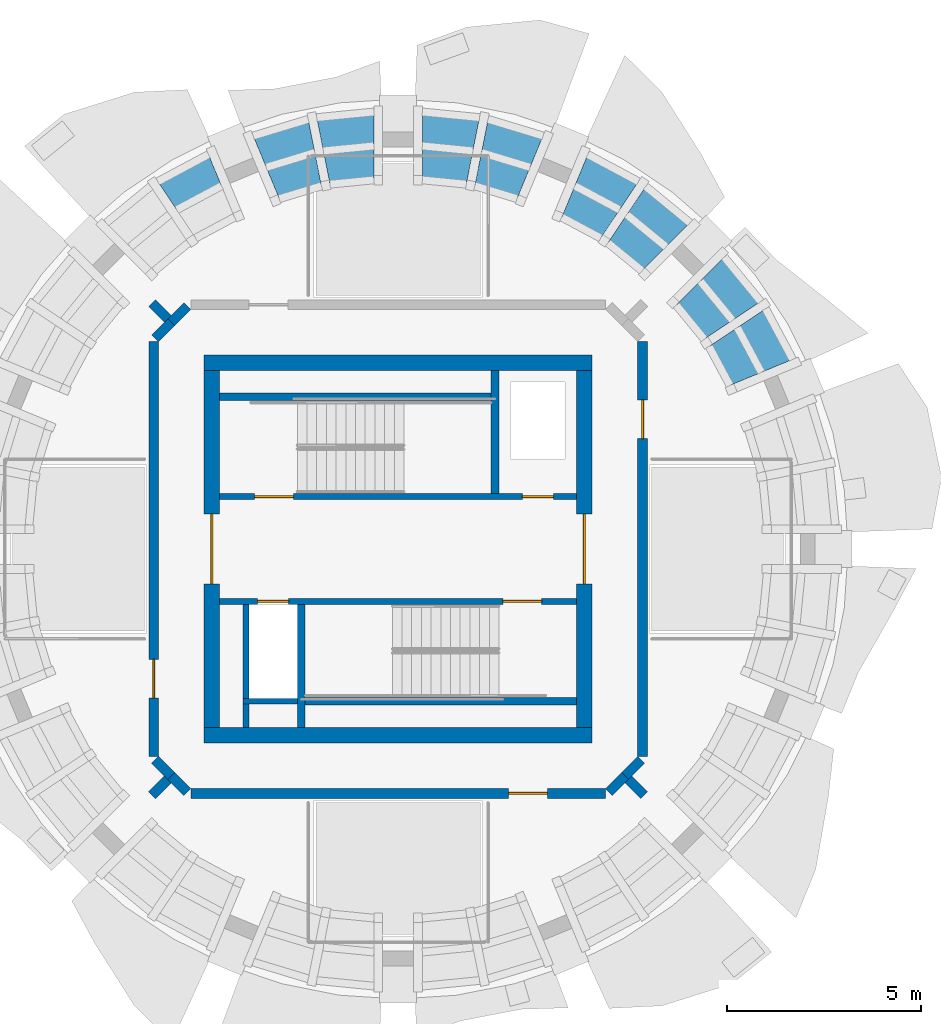
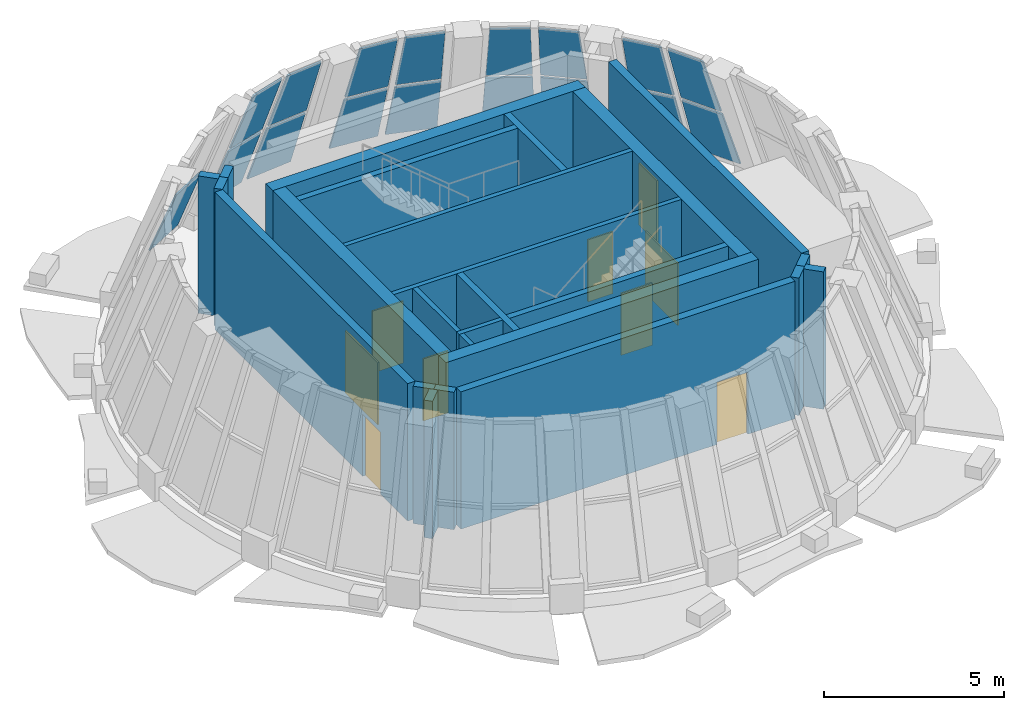
# One storey, part 5 of 9: 24 walls, 17 plates, 9 doors, 9 openings, 5 elements without a shape of their own.
"""IFC4 building model written with IfcOpenShell, lengths in metres."""

from ifc_helpers import new_model, si_unit, direction, frame, frame_2d, origin, place, context, subcontext, project, spatial, polyline, rectangle, outline, extrude, material, layer, layer_set, type_object, element, fill, aggregate, save


model = new_model("IFC4")

# Units and contexts
model_context = context("Model", 3, precision=1e-05, world=origin(), true_north=direction((0.0, 1.0)))
body_context = subcontext(model_context, "Body", "Model", "MODEL_VIEW")
ifc_project = project(units=[si_unit("LENGTHUNIT", "METRE"), si_unit("AREAUNIT", "SQUARE_METRE"), si_unit("VOLUMEUNIT", "CUBIC_METRE"), si_unit("PLANEANGLEUNIT", "RADIAN"), si_unit("MASSUNIT", "GRAM", prefix="KILO")], contexts=[model_context])

# Site, building, storey
site_placement = place(None, origin())
site = spatial("IfcSite", under=ifc_project, at=site_placement, CompositionType="ELEMENT")
building_placement = place(site_placement, origin())
building = spatial("IfcBuilding", under=site, at=building_placement, Name="Polderwave Tower", CompositionType="ELEMENT")
storey_placement = place(building_placement, frame((0.0, 0.0, 239.39990234375)))
storey = spatial("IfcBuildingStorey", under=building, at=storey_placement, Name="L65", CompositionType="ELEMENT", Elevation=239.39990234375)

# Curtain wall, plates
ifc_material_1 = material(Name="Aluminium 6063-T6 and glass", Category="aluminium")
curtain_wall_type = type_object("IfcCurtainWallType", Name="Damper floor glazing wall", PredefinedType="NOTDEFINED", material=ifc_material_1)
curtain_wall_1_placement = place(storey_placement, origin())
curtain_wall_1 = element("IfcCurtainWall", 1, at=curtain_wall_1_placement, inside=storey, type_object=curtain_wall_type, Name="CROWN CW7 L65 01", PredefinedType="NOTDEFINED")
ifc_material_2 = material(Name="Glass, low-e laminated double glazing", Category="glass")
ifc_layer_1 = layer(ifc_material_2, 0.052001953125)
ifc_layer_set_1 = layer_set([ifc_layer_1], Name="Damper floor glazing glass panel 52 mm")
plate_type = type_object("IfcPlateType", Name="Damper floor glazing glass panel 52 mm", PredefinedType="CURTAIN_PANEL", material=ifc_layer_set_1)
plate_1_placement = place(storey_placement, frame((10.14990234375, 4.879638671875, 0.1201171875), z_axis=(0.822845232228, 0.440113232038, 0.359480273152), x_axis=(-0.471641450422, 0.881790418548, 8.0036e-07)))
plate_1 = element("IfcPlate", 2, at=plate_1_placement, type_object=plate_type, Name="CROWN CW7 panel 1", PredefinedType="CURTAIN_PANEL", context=body_context, shape_type="SweptSolid", body=[
    extrude(outline(polyline([(0.0, 0.0), (1.4768220582493665, 2.7755575615628914e-17), (1.3957934823509304, 2.2986789289398257), (0.08149739849615097, 2.298681322867034), (0.0, 0.0)])), origin(), (0.0, 0.0, -1.0), 0.052001953125),
])
plate_2_placement = place(storey_placement, frame((9.33984375, 4.5439453125, 2.385009765625), z_axis=(0.822784098597, 0.440245337824, 0.359458439351), x_axis=(-0.471772671708, 0.881720219761, -1.7146854e-05)))
plate_2 = element("IfcPlate", 3, at=plate_2_placement, type_object=plate_type, Name="CROWN CW7 panel 2", PredefinedType="CURTAIN_PANEL", context=body_context, shape_type="SweptSolid", body=[
    extrude(outline(polyline([(0.0, 0.0), (1.3052343247073204, -5.551115123125783e-17), (1.2242902251481578, 2.298681904341021), (0.0817971377786822, 2.2986369273015863), (0.0, 0.0)])), origin(), (0.0, 0.0, -1.0), 0.052001953125),
])
plate_3_placement = place(storey_placement, frame((9.3291015625, 6.3681640625, 0.1201171875), z_axis=(0.721136435315, 0.592198690667, 0.359531573625), x_axis=(-0.634643828184, 0.772804768647, 3.0083081e-05)))
plate_3 = element("IfcPlate", 4, at=plate_3_placement, type_object=plate_type, Name="CROWN CW7 panel 3", PredefinedType="CURTAIN_PANEL", context=body_context, shape_type="SweptSolid", body=[
    extrude(outline(polyline([(0.0, 0.0), (1.4766814318976338, -5.551115123125783e-17), (1.395812296845252, 2.2984221797174396), (0.08180436697824885, 2.2987737836028157), (0.0, 0.0)])), origin(), (0.0, 0.0, -1.0), 0.052001953125),
])
plate_4_placement = place(storey_placement, frame((8.599853515625, 5.881103515625, 2.385009765625), z_axis=(0.721178730793, 0.592154112118, 0.359520160427), x_axis=(-0.634585101236, 0.772852993316, 3.337324e-06)))
plate_4 = element("IfcPlate", 5, at=plate_4_placement, type_object=plate_type, Name="CROWN CW7 panel 4", PredefinedType="CURTAIN_PANEL", context=body_context, shape_type="SweptSolid", body=[
    extrude(outline(polyline([(0.0, 0.0), (1.3049727487262361, -5.551115123125783e-17), (1.2241383931048986, 2.298713602528979), (0.08187286834858114, 2.2987223549685183), (0.0, 0.0)])), origin(), (0.0, 0.0, -1.0), 0.052001953125),
])
aggregate(curtain_wall_1, [plate_1, plate_2, plate_3, plate_4])

curtain_wall_2_placement = place(storey_placement, origin())
curtain_wall_2 = element("IfcCurtainWall", 6, at=curtain_wall_2_placement, inside=storey, type_object=curtain_wall_type, Name="CROWN CW7 L65 02", PredefinedType="NOTDEFINED")
plate_5_placement = place(storey_placement, frame((7.50927734375, 8.391845703125, 0.1201171875), z_axis=(0.592250581397, 0.721149777541, 0.359419319442), x_axis=(-0.772786038168, 0.634666636009, -1.8705088e-05)))
plate_5 = element("IfcPlate", 7, at=plate_5_placement, type_object=plate_type, Name="CROWN CW7 panel 1", PredefinedType="CURTAIN_PANEL", context=body_context, shape_type="SweptSolid", body=[
    extrude(outline(polyline([(0.0, 0.0), (1.476681435067142, 5.551115123125783e-17), (1.3948433580559545, 2.298650249977155), (0.08068048027642817, 2.2985943087831253), (0.0, 0.0)])), origin(), (0.0, 0.0, -1.0), 0.052001953125),
])
plate_6_placement = place(storey_placement, frame((6.8896484375, 7.771728515625, 2.385009765625), z_axis=(0.592165164137, 0.721228783242, 0.359401531166), x_axis=(-0.772866744667, 0.634568353175, -1.1682011e-05)))
plate_6 = element("IfcPlate", 8, at=plate_6_placement, type_object=plate_type, Name="CROWN CW7 panel 2", PredefinedType="CURTAIN_PANEL", context=body_context, shape_type="SweptSolid", body=[
    extrude(outline(polyline([(0.0, 0.0), (1.3049727480930988, 0.0), (1.2232548106087755, 2.2988823497064033), (0.08080060056106697, 2.2985900903213565), (0.0, 0.0)])), origin(), (0.0, 0.0, -1.0), 0.052001953125),
])
plate_7_placement = place(storey_placement, frame((6.181884765625, 9.453369140625, 0.1201171875), z_axis=(0.440113232038, 0.822845232228, 0.359480273152), x_axis=(-0.881790418548, 0.471641450422, -8.0036e-07)))
plate_7 = element("IfcPlate", 9, at=plate_7_placement, type_object=plate_type, Name="CROWN CW7 panel 3", PredefinedType="CURTAIN_PANEL", context=body_context, shape_type="SweptSolid", body=[
    extrude(outline(polyline([(0.0, 0.0), (1.4768220582493665, -2.7755575615628914e-17), (1.3953246597532154, 2.298681322867034), (0.08102857589843614, 2.2986789289398257), (0.0, 0.0)])), origin(), (0.0, 0.0, -1.0), 0.052001953125),
])
plate_8_placement = place(storey_placement, frame((5.69482421875, 8.72412109375, 2.385009765625), z_axis=(0.440202658197, 0.822797399814, 0.359480261734), x_axis=(-0.881739548785, 0.471736545231, 1.364189e-06)))
plate_8 = element("IfcPlate", 10, at=plate_8_placement, type_object=plate_type, Name="CROWN CW7 panel 4", PredefinedType="CURTAIN_PANEL", context=body_context, shape_type="SweptSolid", body=[
    extrude(outline(polyline([(0.0, 0.0), (1.305234326182934, 5.551115123125783e-17), (1.2236524543978688, 2.2986783263957795), (0.08094410241887955, 2.298681905078202), (0.0, 0.0)])), origin(), (0.0, 0.0, -1.0), 0.052001953125),
])
aggregate(curtain_wall_2, [plate_5, plate_6, plate_7, plate_8])

curtain_wall_3_placement = place(storey_placement, origin())
curtain_wall_3 = element("IfcCurtainWall", 11, at=curtain_wall_3_placement, inside=storey, type_object=curtain_wall_type, Name="CROWN CW7 L65 03", PredefinedType="NOTDEFINED")
plate_9_placement = place(storey_placement, frame((3.726806640625, 10.62744140625, 0.1201171875), z_axis=(0.270744111076, 0.892984438155, 0.359550301808), x_axis=(-0.956981127818, 0.290150169652, -7.17969e-06)))
plate_9 = element("IfcPlate", 12, at=plate_9_placement, type_object=plate_type, Name="CROWN CW7 panel 1", PredefinedType="CURTAIN_PANEL", context=body_context, shape_type="SweptSolid", body=[
    extrude(outline(polyline([(0.0, 0.0), (1.4766162879757088, -2.7755575615628914e-17), (1.3954227892780113, 2.298495689231457), (0.08130551350519925, 2.298735854111232), (0.0, 0.0)])), origin(), (0.0, 0.0, -1.0), 0.052001953125),
])
plate_10_placement = place(storey_placement, frame((3.391357421875, 9.8173828125, 2.385009765625), z_axis=(0.270759832221, 0.893004659845, 0.359488234509), x_axis=(-0.95697822214, 0.290159753051, -7.646171e-06)))
plate_10 = element("IfcPlate", 13, at=plate_10_placement, type_object=plate_type, Name="CROWN CW7 panel 2", PredefinedType="CURTAIN_PANEL", context=body_context, shape_type="SweptSolid", body=[
    extrude(outline(polyline([(0.0, 0.0), (1.3049270955151435, 2.7755575615628914e-17), (1.2234906809268373, 2.298697706523012), (0.08160071335104478, 2.2986776574544843), (0.0, 0.0)])), origin(), (0.0, 0.0, -1.0), 0.052001953125),
])
plate_11_placement = place(storey_placement, frame((2.093994140625, 11.099609375, 0.1201171875), z_axis=(0.091473603023, 0.928689630687, 0.359399707574), x_axis=(-0.995184451534, 0.09801993346, 8.379665e-06)))
plate_11 = element("IfcPlate", 14, at=plate_11_placement, type_object=plate_type, Name="CROWN CW7 panel 3", PredefinedType="CURTAIN_PANEL", context=body_context, shape_type="SweptSolid", body=[
    extrude(outline(polyline([(0.0, 0.0), (1.4773258270696432, -1.3877787807814457e-17), (1.3959795990353963, 2.2985911496056954), (0.08129502856772858, 2.298616220886804), (0.0, 0.0)])), origin(), (0.0, 0.0, -1.0), 0.052001953125),
])
plate_12_placement = place(storey_placement, frame((1.923095703125, 10.23974609375, 2.385009765625), z_axis=(0.091509307234, 0.928691251035, 0.359386431214), x_axis=(-0.995181378622, 0.098051124411, 2.5424263e-05)))
plate_12 = element("IfcPlate", 15, at=plate_12_placement, type_object=plate_type, Name="CROWN CW7 panel 4", PredefinedType="CURTAIN_PANEL", context=body_context, shape_type="SweptSolid", body=[
    extrude(outline(polyline([(0.0, 0.0), (1.3055991421425632, 6.938893903907228e-18), (1.2242635903845376, 2.298819356748041), (0.08154866041659516, 2.2986244400939495), (0.0, 0.0)])), origin(), (0.0, 0.0, -1.0), 0.052001953125),
])
aggregate(curtain_wall_3, [plate_9, plate_10, plate_11, plate_12])

curtain_wall_4_placement = place(storey_placement, origin())
curtain_wall_4 = element("IfcCurtainWall", 16, at=curtain_wall_4_placement, inside=storey, type_object=curtain_wall_type, Name="CROWN CW7 L65 04", PredefinedType="NOTDEFINED")
plate_13_placement = place(storey_placement, frame((-0.623779296875, 11.244384765625, 0.1201171875), z_axis=(-0.091583286264, 0.928654115356, 0.359463538776), x_axis=(-0.995174142352, -0.098124533148, -4.8869592e-05)))
plate_13 = element("IfcPlate", 17, at=plate_13_placement, type_object=plate_type, Name="CROWN CW7 panel 1", PredefinedType="CURTAIN_PANEL", context=body_context, shape_type="SweptSolid", body=[
    extrude(outline(polyline([(0.0, 0.0), (1.4773258138186398, 6.938893903907228e-18), (1.396054736385373, 2.298475732912237), (0.08134620226188162, 2.2985911420012264), (0.0, 0.0)])), origin(), (0.0, 0.0, -1.0), 0.052001953125),
])
plate_14_placement = place(storey_placement, frame((-0.623779296875, 10.36767578125, 2.385009765625), z_axis=(-0.091469494999, 0.928652655233, 0.359496282892), x_axis=(-0.995184657713, -0.098017839674, -1.2548109e-05)))
plate_14 = element("IfcPlate", 18, at=plate_14_placement, type_object=plate_type, Name="CROWN CW7 panel 2", PredefinedType="CURTAIN_PANEL", context=body_context, shape_type="SweptSolid", body=[
    extrude(outline(polyline([(0.0, 0.0), (1.3055991446142639, 0.0), (1.2240744016316336, 2.298711779657027), (0.08135947877042758, 2.298678856946755), (0.0, 0.0)])), origin(), (0.0, 0.0, -1.0), 0.052001953125),
])
plate_15_placement = place(storey_placement, frame((-2.313720703125, 11.055908203125, 0.1201171875), z_axis=(-0.270786097949, 0.893014508732, 0.359443982217), x_axis=(-0.956972610979, -0.290178258694, -4.128707e-06)))
plate_15 = element("IfcPlate", 19, at=plate_15_placement, type_object=plate_type, Name="CROWN CW7 panel 3", PredefinedType="CURTAIN_PANEL", context=body_context, shape_type="SweptSolid", body=[
    extrude(outline(polyline([(0.0, 0.0), (1.4766162881726934, 2.7755575615628914e-17), (1.395239932487204, 2.2986518630770334), (0.08112265728366763, 2.298639515742169), (0.0, 0.0)])), origin(), (0.0, 0.0, -1.0), 0.052001953125),
])
plate_16_placement = place(storey_placement, frame((-2.142578125, 10.196044921875, 2.385009765625), z_axis=(-0.270817718648, 0.893012088595, 0.359426171682), x_axis=(-0.956963805295, -0.290207296985, -1.1491017e-05)))
plate_16 = element("IfcPlate", 20, at=plate_16_placement, type_object=plate_type, Name="CROWN CW7 panel 4", PredefinedType="CURTAIN_PANEL", context=body_context, shape_type="SweptSolid", body=[
    extrude(outline(polyline([(0.0, 0.0), (1.304927095143426, 0.0), (1.2233263825125718, 2.298905479668636), (0.08136556944741828, 2.298613724867278), (0.0, 0.0)])), origin(), (0.0, 0.0, -1.0), 0.052001953125),
])
aggregate(curtain_wall_4, [plate_13, plate_14, plate_15, plate_16])

# Curtain wall, plate
curtain_wall_5_placement = place(storey_placement, origin())
curtain_wall_5 = element("IfcCurtainWall", 21, at=curtain_wall_5_placement, inside=storey, type_object=curtain_wall_type, Name="CROWN CW7 L65 05", PredefinedType="NOTDEFINED")
plate_17_placement = place(storey_placement, frame((-4.879638671875, 10.14990234375, 0.1201171875), z_axis=(-0.440113232038, 0.822845232228, 0.359480273152), x_axis=(-0.881790418548, -0.471641450422, 8.0036e-07)))
plate_17 = element("IfcPlate", 22, at=plate_17_placement, type_object=plate_type, Name="CROWN CW7 panel 1", PredefinedType="CURTAIN_PANEL", context=body_context, shape_type="SweptSolid", body=[
    extrude(outline(polyline([(0.0, 0.0), (1.4768220582493665, 2.7755575615628914e-17), (1.3957934823509304, 2.2986789289398257), (0.08149739849615097, 2.298681322867034), (0.0, 0.0)])), origin(), (0.0, 0.0, -1.0), 0.052001953125),
])
aggregate(curtain_wall_5, [plate_17])

# Walls
ifc_material_3 = material(Name="Concrete C60/75", Category="concrete")
ifc_layer_2 = layer(ifc_material_3, 0.39990234375)
ifc_layer_set_2 = layer_set([ifc_layer_2], Name="CORE WALL 400 C60/75")
wall_type_1 = type_object("IfcWallType", Name="CORE WALL 400 C60/75", PredefinedType="SHEAR", material=ifc_layer_set_2)
for number, where, z_axis, x_axis, name in (
    (23, (-5.0, -4.800048828125, 0.0), (0.0, 0.0, 1.0), (1.0, 0.0, 0.0), "ST-CORE-L65-S"),
    (24, (-5.0, 4.800048828125, 0.0), (0.0, 0.0, 1.0), (1.0, 0.0, 0.0), "ST-CORE-L65-N"),
):
    element("IfcWall", number, at=place(storey_placement, frame(where, z_axis=z_axis, x_axis=x_axis)), inside=storey, type_object=wall_type_1, Name=name, PredefinedType="SHEAR", context=body_context, shape_type="SweptSolid", body=[
        extrude(rectangle(XDim=10.0, YDim=0.39990234375, at=frame_2d((5.0, 0.0))), origin(), (0.0, 0.0, 1.0), 4.650146484375),
    ])

# Wall, opening, door
wall_1_placement = place(storey_placement, frame((-4.800048828125, -4.60009765625, 0.0), z_axis=(0.0, 0.0, 1.0), x_axis=(0.0, 1.0, 0.0)))
wall_1 = element("IfcWall", 25, at=wall_1_placement, inside=storey, type_object=wall_type_1, Name="ST-CORE-L65-W", PredefinedType="SHEAR", context=body_context, shape_type="SweptSolid", body=[
    extrude(rectangle(XDim=9.2001953125, YDim=0.39990234375, at=frame_2d((4.60009765625, 0.0))), origin(), (0.0, 0.0, 1.0), 4.650146484375),
])
opening_1_placement = place(wall_1_placement, frame((3.699951171875, 0.0, 0.0)))
opening_1 = element("IfcOpeningElement", 26, at=opening_1_placement, cuts=wall_1, Name="Opening L65-D05", PredefinedType="OPENING", context=body_context, shape_type="SweptSolid", body=[
    extrude(rectangle(XDim=1.800048828125, YDim=2.10009765625, at=frame_2d((0.89990234375, 1.050048828125))), frame((0.0, 0.2099609375, 0.0), z_axis=(0.0, -1.0, 0.0), x_axis=(1.0, 0.0, 0.0)), (0.0, 0.0, 1.0), 0.419921875),
])
ifc_material_4 = material(Name="Steel fire door", Category="steel")
door_type_1 = type_object("IfcDoorType", Name="Lobby entry door pair 1800", OperationType="DOUBLE_DOOR_SINGLE_SWING", PredefinedType="DOOR", material=ifc_material_4)
door_1_placement = place(opening_1_placement, origin())
door_1 = element("IfcDoor", 27, at=door_1_placement, inside=storey, type_object=door_type_1, Name="Crown stair lobby entry door", OperationType="DOUBLE_DOOR_SINGLE_SWING", OverallHeight=2.10009765625, OverallWidth=1.800048828125, PredefinedType="DOOR", context=body_context, shape_type="SweptSolid", body=[
    extrude(rectangle(XDim=1.800048828125, YDim=2.10009765625, at=frame_2d((0.89990234375, 1.050048828125))), frame((0.0, 0.02490234375, 0.0), z_axis=(0.0, -1.0, 0.0), x_axis=(1.0, 0.0, 0.0)), (0.0, 0.0, 1.0), 0.050048828125),
])
fill(opening_1, door_1)

wall_2_placement = place(storey_placement, frame((4.800048828125, -4.60009765625, 0.0), z_axis=(0.0, 0.0, 1.0), x_axis=(0.0, 1.0, 0.0)))
wall_2 = element("IfcWall", 28, at=wall_2_placement, inside=storey, type_object=wall_type_1, Name="ST-CORE-L65-E", PredefinedType="SHEAR", context=body_context, shape_type="SweptSolid", body=[
    extrude(rectangle(XDim=9.2001953125, YDim=0.39990234375, at=frame_2d((4.60009765625, 0.0))), origin(), (0.0, 0.0, 1.0), 4.650146484375),
])
opening_2_placement = place(wall_2_placement, frame((3.699951171875, 0.0, 0.0)))
opening_2 = element("IfcOpeningElement", 29, at=opening_2_placement, cuts=wall_2, Name="Opening L65-D06", PredefinedType="OPENING", context=body_context, shape_type="SweptSolid", body=[
    extrude(rectangle(XDim=1.800048828125, YDim=2.10009765625, at=frame_2d((0.89990234375, 1.050048828125))), frame((0.0, 0.2099609375, 0.0), z_axis=(0.0, -1.0, 0.0), x_axis=(1.0, 0.0, 0.0)), (0.0, 0.0, 1.0), 0.419921875),
])
door_2_placement = place(opening_2_placement, frame((1.800048828125, 0.0, 0.0), z_axis=(0.0, 0.0, 1.0), x_axis=(-1.0, 0.0, 0.0)))
door_2 = element("IfcDoor", 30, at=door_2_placement, inside=storey, type_object=door_type_1, Name="Crown stair lobby entry door", OperationType="DOUBLE_DOOR_SINGLE_SWING", OverallHeight=2.10009765625, OverallWidth=1.800048828125, PredefinedType="DOOR", context=body_context, shape_type="SweptSolid", body=[
    extrude(rectangle(XDim=1.800048828125, YDim=2.10009765625, at=frame_2d((0.89990234375, 1.050048828125))), frame((0.0, 0.02490234375, 0.0), z_axis=(0.0, -1.0, 0.0), x_axis=(1.0, 0.0, 0.0)), (0.0, 0.0, 1.0), 0.050048828125),
])
fill(opening_2, door_2)

# Walls
ifc_material_5 = material(Name="Gypsum board partition")
ifc_layer_3 = layer(ifc_material_5, 0.14990234375)
ifc_layer_set_3 = layer_set([ifc_layer_3], Name="Core room partition 150")
wall_type_2 = type_object("IfcWallType", Name="Core room partition 150", PredefinedType="PARTITIONING", material=ifc_layer_set_3)
wall_3_placement = place(storey_placement, frame((-3.925048828125, -4.60009765625, 0.0), z_axis=(0.0, 0.0, 1.0), x_axis=(0.0, 1.0, 0.0)))
element("IfcWall", 31, at=wall_3_placement, inside=storey, type_object=wall_type_2, Name="L65 lift shaft west wall", PredefinedType="PARTITIONING", context=body_context, shape_type="SweptSolid", body=[
    extrude(rectangle(XDim=3.175048828125, YDim=0.14990234375, at=frame_2d((1.58740234375, 0.0))), origin(), (0.0, 0.0, 1.0), 4.650146484375),
])
wall_4_placement = place(storey_placement, frame((-4.0, -3.925048828125, 0.0), z_axis=(0.0, 0.0, 1.0), x_axis=(1.0, 0.0, 0.0)))
element("IfcWall", 32, at=wall_4_placement, inside=storey, type_object=wall_type_2, Name="L65 lift shaft south wall", PredefinedType="PARTITIONING", context=body_context, shape_type="SweptSolid", body=[
    extrude(rectangle(XDim=1.39990234375, YDim=0.14990234375, at=frame_2d((0.699951171875, 0.0))), origin(), (0.0, 0.0, 1.0), 4.650146484375),
])

# Wall, openings, doors
ifc_material_6 = material(Name="Concrete C50/60", Category="concrete")
ifc_layer_4 = layer(ifc_material_6, 0.14990234375)
ifc_layer_set_4 = layer_set([ifc_layer_4], Name="Core web wall 150")
wall_type_3 = type_object("IfcWallType", Name="Core web wall 150", PredefinedType="SHEAR", material=ifc_layer_set_4)
wall_5_placement = place(storey_placement, frame((-4.60009765625, 1.35009765625, 0.0), z_axis=(0.0, 0.0, 1.0), x_axis=(1.0, 0.0, 0.0)))
wall_5 = element("IfcWall", 33, at=wall_5_placement, inside=storey, type_object=wall_type_3, Name="L65 north lobby wall", PredefinedType="SHEAR", context=body_context, shape_type="SweptSolid", body=[
    extrude(rectangle(XDim=9.2001953125, YDim=0.14990234375, at=frame_2d((4.60009765625, 0.0))), origin(), (0.0, 0.0, 1.0), 4.650146484375),
])
opening_3_placement = place(wall_5_placement, frame((0.89990234375, 0.0, 0.0)))
opening_3 = element("IfcOpeningElement", 34, at=opening_3_placement, cuts=wall_5, Name="Opening L65-D02", PredefinedType="OPENING", context=body_context, shape_type="SweptSolid", body=[
    extrude(rectangle(XDim=1.0, YDim=2.10009765625, at=frame_2d((0.5, 1.050048828125))), frame((0.0, 0.0849609375, 0.0), z_axis=(0.0, -1.0, 0.0), x_axis=(1.0, 0.0, 0.0)), (0.0, 0.0, 1.0), 0.169921875),
])
opening_4_placement = place(wall_5_placement, frame((7.800048828125, 0.0, 0.0)))
opening_4 = element("IfcOpeningElement", 35, at=opening_4_placement, cuts=wall_5, Name="Opening L65-D04", PredefinedType="OPENING", context=body_context, shape_type="SweptSolid", body=[
    extrude(rectangle(XDim=0.800048828125, YDim=2.10009765625, at=frame_2d((0.39990234375, 1.050048828125))), frame((0.0, 0.0849609375, 0.0), z_axis=(0.0, -1.0, 0.0), x_axis=(1.0, 0.0, 0.0)), (0.0, 0.0, 1.0), 0.169921875),
])
door_type_2 = type_object("IfcDoorType", Name="Riser door 800", OperationType="NOTDEFINED", PredefinedType="DOOR", material=ifc_material_4)
door_3_placement = place(opening_4_placement, frame((0.800048828125, 0.0, 0.0), z_axis=(0.0, 0.0, 1.0), x_axis=(-1.0, 0.0, 0.0)))
door_3 = element("IfcDoor", 36, at=door_3_placement, inside=storey, type_object=door_type_2, Name="Riser door", OperationType="SINGLE_SWING_LEFT", OverallHeight=2.10009765625, OverallWidth=0.800048828125, PredefinedType="DOOR", context=body_context, shape_type="SweptSolid", body=[
    extrude(rectangle(XDim=0.800048828125, YDim=2.10009765625, at=frame_2d((0.39990234375, 1.050048828125))), frame((0.0, 0.02490234375, 0.0), z_axis=(0.0, -1.0, 0.0), x_axis=(1.0, 0.0, 0.0)), (0.0, 0.0, 1.0), 0.050048828125),
])
fill(opening_4, door_3)
door_type_3 = type_object("IfcDoorType", Name="Stair door 1000", OperationType="NOTDEFINED", PredefinedType="DOOR", material=ifc_material_4)
door_4_placement = place(opening_3_placement, frame((1.0, 0.0, 0.0), z_axis=(0.0, 0.0, 1.0), x_axis=(-1.0, 0.0, 0.0)))
door_4 = element("IfcDoor", 37, at=door_4_placement, inside=storey, type_object=door_type_3, Name="Crown stair S1 door", OperationType="SINGLE_SWING_RIGHT", OverallHeight=2.10009765625, OverallWidth=1.0, PredefinedType="DOOR", context=body_context, shape_type="SweptSolid", body=[
    extrude(rectangle(XDim=1.0, YDim=2.10009765625, at=frame_2d((0.5, 1.050048828125))), frame((0.0, 0.02490234375, 0.0), z_axis=(0.0, -1.0, 0.0), x_axis=(1.0, 0.0, 0.0)), (0.0, 0.0, 1.0), 0.050048828125),
])
fill(opening_3, door_4)

wall_6_placement = place(storey_placement, frame((-4.60009765625, -1.35009765625, 0.0), z_axis=(0.0, 0.0, 1.0), x_axis=(1.0, 0.0, 0.0)))
wall_6 = element("IfcWall", 38, at=wall_6_placement, inside=storey, type_object=wall_type_3, Name="L65 south lobby wall", PredefinedType="SHEAR", context=body_context, shape_type="SweptSolid", body=[
    extrude(rectangle(XDim=9.2001953125, YDim=0.14990234375, at=frame_2d((4.60009765625, 0.0))), origin(), (0.0, 0.0, 1.0), 4.650146484375),
])
opening_5_placement = place(wall_6_placement, frame((0.97509765625, 0.0, 0.0)))
opening_5 = element("IfcOpeningElement", 39, at=opening_5_placement, cuts=wall_6, Name="Opening L65-D01", PredefinedType="OPENING", context=body_context, shape_type="SweptSolid", body=[
    extrude(rectangle(XDim=0.800048828125, YDim=2.10009765625, at=frame_2d((0.39990234375, 1.050048828125))), frame((0.0, 0.0849609375, 0.0), z_axis=(0.0, -1.0, 0.0), x_axis=(1.0, 0.0, 0.0)), (0.0, 0.0, 1.0), 0.169921875),
])
opening_6_placement = place(wall_6_placement, frame((7.300048828125, 0.0, 0.0)))
opening_6 = element("IfcOpeningElement", 40, at=opening_6_placement, cuts=wall_6, Name="Opening L65-D03", PredefinedType="OPENING", context=body_context, shape_type="SweptSolid", body=[
    extrude(rectangle(XDim=1.0, YDim=2.10009765625, at=frame_2d((0.5, 1.050048828125))), frame((0.0, 0.0849609375, 0.0), z_axis=(0.0, -1.0, 0.0), x_axis=(1.0, 0.0, 0.0)), (0.0, 0.0, 1.0), 0.169921875),
])
ifc_material_7 = material(Name="Stainless steel", Category="steel")
door_type_4 = type_object("IfcDoorType", Name="Service lift landing door 800", OperationType="DOUBLE_DOOR_SLIDING", PredefinedType="DOOR", material=ifc_material_7)
door_5_placement = place(opening_5_placement, origin())
door_5 = element("IfcDoor", 41, at=door_5_placement, inside=storey, type_object=door_type_4, Name="Crown service lift CL1 landing door", OperationType="DOUBLE_DOOR_SLIDING", OverallHeight=2.10009765625, OverallWidth=0.800048828125, PredefinedType="DOOR", context=body_context, shape_type="SweptSolid", body=[
    extrude(rectangle(XDim=0.800048828125, YDim=2.10009765625, at=frame_2d((0.39990234375, 1.050048828125))), frame((0.0, 0.02490234375, 0.0), z_axis=(0.0, -1.0, 0.0), x_axis=(1.0, 0.0, 0.0)), (0.0, 0.0, 1.0), 0.050048828125),
])
fill(opening_5, door_5)
door_6_placement = place(opening_6_placement, origin())
door_6 = element("IfcDoor", 42, at=door_6_placement, inside=storey, type_object=door_type_3, Name="Crown stair S2 door", OperationType="SINGLE_SWING_RIGHT", OverallHeight=2.10009765625, OverallWidth=1.0, PredefinedType="DOOR", context=body_context, shape_type="SweptSolid", body=[
    extrude(rectangle(XDim=1.0, YDim=2.10009765625, at=frame_2d((0.5, 1.050048828125))), frame((0.0, 0.02490234375, 0.0), z_axis=(0.0, -1.0, 0.0), x_axis=(1.0, 0.0, 0.0)), (0.0, 0.0, 1.0), 0.050048828125),
])
fill(opening_6, door_6)

# Walls
ifc_layer_5 = layer(ifc_material_6, 0.199951171875)
ifc_layer_set_5 = layer_set([ifc_layer_5], Name="Core web wall 200")
wall_type_4 = type_object("IfcWallType", Name="Core web wall 200", PredefinedType="SHEAR", material=ifc_layer_set_5)
for number, where, z_axis, x_axis, name in (
    (43, (2.5, 1.425048828125, 0.0), (0.0, 0.0, 1.0), (0.0, 1.0, 0.0), "L65 crown stair east wall"),
    (44, (-2.5, -1.425048828125, 0.0), (0.0, 0.0, 1.0), (0.0, -1.0, 0.0), "L65 crown stair west wall"),
):
    element("IfcWall", number, at=place(storey_placement, frame(where, z_axis=z_axis, x_axis=x_axis)), inside=storey, type_object=wall_type_4, Name=name, PredefinedType="SHEAR", context=body_context, shape_type="SweptSolid", body=[
        extrude(rectangle(XDim=3.175048828125, YDim=0.199951171875, at=frame_2d((1.58740234375, 0.0))), origin(), (0.0, 0.0, 1.0), 4.650146484375),
    ])
for number, where, z_axis, x_axis, name in (
    (45, (-4.60009765625, 3.925048828125, 0.0), (0.0, 0.0, 1.0), (1.0, 0.0, 0.0), "L65 crown stair end wall"),
    (46, (4.60009765625, -3.925048828125, 0.0), (0.0, 0.0, 1.0), (-1.0, 0.0, 0.0), "L65 crown stair end wall"),
):
    element("IfcWall", number, at=place(storey_placement, frame(where, z_axis=z_axis, x_axis=x_axis)), inside=storey, type_object=wall_type_4, Name=name, PredefinedType="SHEAR", context=body_context, shape_type="SweptSolid", body=[
        extrude(rectangle(XDim=7.0, YDim=0.199951171875, at=frame_2d((3.5, 0.0))), origin(), (0.0, 0.0, 1.0), 4.650146484375),
    ])
ifc_material_8 = material(Name="Fire-resisting board on steel studs, mineral wool", Category="steel")
ifc_layer_6 = layer(ifc_material_8, 0.25)
ifc_layer_set_6 = layer_set([ifc_layer_6], Name="Plant room wall 250 mm EI 120")
wall_type_5 = type_object("IfcWallType", Name="Plant room wall 250 mm EI 120", PredefinedType="PARTITIONING", material=ifc_layer_set_6)
wall_7_placement = place(storey_placement, frame((6.263427734375, -5.43359375, 0.0), z_axis=(0.0, 0.0, 1.0), x_axis=(-0.707314784344, -0.706898716824, 0.0)))
element("IfcWall", 47, at=wall_7_placement, inside=storey, type_object=wall_type_5, Name="IN-L65-W002", PredefinedType="PARTITIONING", context=body_context, shape_type="SweptSolid", body=[
    extrude(rectangle(XDim=0.586669921875, YDim=0.25, at=frame_2d((0.29345703125, 0.0))), origin(), (0.0, 0.0, 1.0), 4.650146484375),
])

# Wall, opening, door
wall_8_placement = place(storey_placement, frame((6.300048828125, 5.34521484375, 0.0), z_axis=(0.0, 0.0, 1.0), x_axis=(0.0, -1.0, 0.0)))
wall_8 = element("IfcWall", 48, at=wall_8_placement, inside=storey, type_object=wall_type_5, Name="IN-L65-W003", PredefinedType="PARTITIONING", context=body_context, shape_type="SweptSolid", body=[
    extrude(rectangle(XDim=10.6904296875, YDim=0.25, at=frame_2d((5.34521484375, 0.0))), origin(), (0.0, 0.0, 1.0), 4.650146484375),
])
opening_7_placement = place(wall_8_placement, frame((1.5, 0.0, 0.0)))
opening_7 = element("IfcOpeningElement", 49, at=opening_7_placement, cuts=wall_8, Name="Opening L65-D50", PredefinedType="OPENING", context=body_context, shape_type="SweptSolid", body=[
    extrude(rectangle(XDim=1.0, YDim=2.10009765625, at=frame_2d((0.5, 1.050048828125))), frame((0.0, 0.135009765625, 0.0), z_axis=(0.0, -1.0, 0.0), x_axis=(1.0, 0.0, 0.0)), (0.0, 0.0, 1.0), 0.27001953125),
])
ifc_material_9 = material(Name="Steel plant door leaf", Category="steel")
door_type_5 = type_object("IfcDoorType", Name="Plant door FD60 1000 x 2100 steel", OperationType="NOTDEFINED", PredefinedType="DOOR", material=ifc_material_9)
door_7_placement = place(opening_7_placement, origin())
door_7 = element("IfcDoor", 50, at=door_7_placement, inside=storey, type_object=door_type_5, Name="Door L65-D50", OperationType="SINGLE_SWING_LEFT", OverallHeight=2.10009765625, OverallWidth=1.0, PredefinedType="DOOR", context=body_context, shape_type="SweptSolid", body=[
    extrude(rectangle(XDim=1.0, YDim=2.10009765625, at=frame_2d((0.5, 1.050048828125))), frame((0.0, 0.02490234375, 0.0), z_axis=(0.0, -1.0, 0.0), x_axis=(1.0, 0.0, 0.0)), (0.0, 0.0, 1.0), 0.050048828125),
])
fill(opening_7, door_7)

# Wall
wall_9_placement = place(storey_placement, frame((-5.848388671875, 5.848388671875, 0.0), z_axis=(0.0, 0.0, 1.0), x_axis=(0.706898716824, 0.707314784344, 0.0)))
element("IfcWall", 51, at=wall_9_placement, inside=storey, type_object=wall_type_5, Name="IN-L65-W004", PredefinedType="PARTITIONING", context=body_context, shape_type="SweptSolid", body=[
    extrude(rectangle(XDim=0.586669921875, YDim=0.25, at=frame_2d((0.29345703125, 0.0))), origin(), (0.0, 0.0, 1.0), 4.650146484375),
])

# Wall, opening, door
wall_10_placement = place(storey_placement, frame((-6.300048828125, -5.34521484375, 0.0), z_axis=(0.0, 0.0, 1.0), x_axis=(0.0, 1.0, 0.0)))
wall_10 = element("IfcWall", 52, at=wall_10_placement, inside=storey, type_object=wall_type_5, Name="IN-L65-W007", PredefinedType="PARTITIONING", context=body_context, shape_type="SweptSolid", body=[
    extrude(rectangle(XDim=10.6904296875, YDim=0.25, at=frame_2d((5.34521484375, 0.0))), origin(), (0.0, 0.0, 1.0), 4.650146484375),
])
opening_8_placement = place(wall_10_placement, frame((1.5, 0.0, 0.0)))
opening_8 = element("IfcOpeningElement", 53, at=opening_8_placement, cuts=wall_10, Name="Opening L65-D52", PredefinedType="OPENING", context=body_context, shape_type="SweptSolid", body=[
    extrude(rectangle(XDim=1.0, YDim=2.10009765625, at=frame_2d((0.5, 1.050048828125))), frame((0.0, 0.135009765625, 0.0), z_axis=(0.0, -1.0, 0.0), x_axis=(1.0, 0.0, 0.0)), (0.0, 0.0, 1.0), 0.27001953125),
])
door_8_placement = place(opening_8_placement, origin())
door_8 = element("IfcDoor", 54, at=door_8_placement, inside=storey, type_object=door_type_5, Name="Door L65-D52", OperationType="SINGLE_SWING_LEFT", OverallHeight=2.10009765625, OverallWidth=1.0, PredefinedType="DOOR", context=body_context, shape_type="SweptSolid", body=[
    extrude(rectangle(XDim=1.0, YDim=2.10009765625, at=frame_2d((0.5, 1.050048828125))), frame((0.0, 0.02490234375, 0.0), z_axis=(0.0, -1.0, 0.0), x_axis=(1.0, 0.0, 0.0)), (0.0, 0.0, 1.0), 0.050048828125),
])
fill(opening_8, door_8)

# Walls
for number, where, z_axis, x_axis, name in (
    (55, (-6.263427734375, 5.43359375, 0.0), (0.0, 0.0, 1.0), (0.707314784344, 0.706898716824, 0.0), "IN-L65-W008"),
    (56, (-5.848388671875, -5.848388671875, 0.0), (0.0, 0.0, 1.0), (-0.707314784344, 0.706898716824, 0.0), "IN-L65-W009"),
    (57, (-5.43359375, -6.263427734375, 0.0), (0.0, 0.0, 1.0), (-0.706898716824, 0.707314784344, 0.0), "IN-L65-W010"),
):
    element("IfcWall", number, at=place(storey_placement, frame(where, z_axis=z_axis, x_axis=x_axis)), inside=storey, type_object=wall_type_5, Name=name, PredefinedType="PARTITIONING", context=body_context, shape_type="SweptSolid", body=[
        extrude(rectangle(XDim=0.586669921875, YDim=0.25, at=frame_2d((0.29345703125, 0.0))), origin(), (0.0, 0.0, 1.0), 4.650146484375),
    ])

# Wall, opening, door
wall_11_placement = place(storey_placement, frame((5.34521484375, -6.300048828125, 0.0), z_axis=(0.0, 0.0, 1.0), x_axis=(-1.0, 0.0, 0.0)))
wall_11 = element("IfcWall", 58, at=wall_11_placement, inside=storey, type_object=wall_type_5, Name="IN-L65-W011", PredefinedType="PARTITIONING", context=body_context, shape_type="SweptSolid", body=[
    extrude(rectangle(XDim=10.6904296875, YDim=0.25, at=frame_2d((5.34521484375, 0.0))), origin(), (0.0, 0.0, 1.0), 4.650146484375),
])
opening_9_placement = place(wall_11_placement, frame((1.5, 0.0, 0.0)))
opening_9 = element("IfcOpeningElement", 59, at=opening_9_placement, cuts=wall_11, Name="Opening L65-D53", PredefinedType="OPENING", context=body_context, shape_type="SweptSolid", body=[
    extrude(rectangle(XDim=1.0, YDim=2.10009765625, at=frame_2d((0.5, 1.050048828125))), frame((0.0, 0.135009765625, 0.0), z_axis=(0.0, -1.0, 0.0), x_axis=(1.0, 0.0, 0.0)), (0.0, 0.0, 1.0), 0.27001953125),
])
door_9_placement = place(opening_9_placement, origin())
door_9 = element("IfcDoor", 60, at=door_9_placement, inside=storey, type_object=door_type_5, Name="Door L65-D53", OperationType="SINGLE_SWING_LEFT", OverallHeight=2.10009765625, OverallWidth=1.0, PredefinedType="DOOR", context=body_context, shape_type="SweptSolid", body=[
    extrude(rectangle(XDim=1.0, YDim=2.10009765625, at=frame_2d((0.5, 1.050048828125))), frame((0.0, 0.02490234375, 0.0), z_axis=(0.0, -1.0, 0.0), x_axis=(1.0, 0.0, 0.0)), (0.0, 0.0, 1.0), 0.050048828125),
])
fill(opening_9, door_9)

# Walls
wall_12_placement = place(storey_placement, frame((5.848388671875, -5.848388671875, 0.0), z_axis=(0.0, 0.0, 1.0), x_axis=(-0.706898716824, -0.707314784344, 0.0)))
element("IfcWall", 61, at=wall_12_placement, inside=storey, type_object=wall_type_5, Name="IN-L65-W012", PredefinedType="PARTITIONING", context=body_context, shape_type="SweptSolid", body=[
    extrude(rectangle(XDim=0.586669921875, YDim=0.25, at=frame_2d((0.29345703125, 0.0))), origin(), (0.0, 0.0, 1.0), 4.650146484375),
])
for number, where, z_axis, x_axis, name in (
    (62, (6.3427734375, -6.3427734375, 0.0), (0.0, 0.0, 1.0), (-0.707106781187, 0.707106781187, 0.0), "IN-L65-W014"),
    (63, (-5.93701171875, 5.93701171875, 0.0), (0.0, 0.0, 1.0), (-0.707106781187, 0.707106781187, 0.0), "IN-L65-W015"),
    (64, (-5.93701171875, -5.93701171875, 0.0), (0.0, 0.0, 1.0), (-0.707106781187, -0.707106781187, 0.0), "IN-L65-W016"),
):
    element("IfcWall", number, at=place(storey_placement, frame(where, z_axis=z_axis, x_axis=x_axis)), inside=storey, type_object=wall_type_5, Name=name, PredefinedType="PARTITIONING", context=body_context, shape_type="SweptSolid", body=[
        extrude(rectangle(XDim=0.57373046875, YDim=0.25, at=frame_2d((0.286865234375, 0.0))), origin(), (0.0, 0.0, 1.0), 4.650146484375),
    ])

save(model, "model.ifc")
